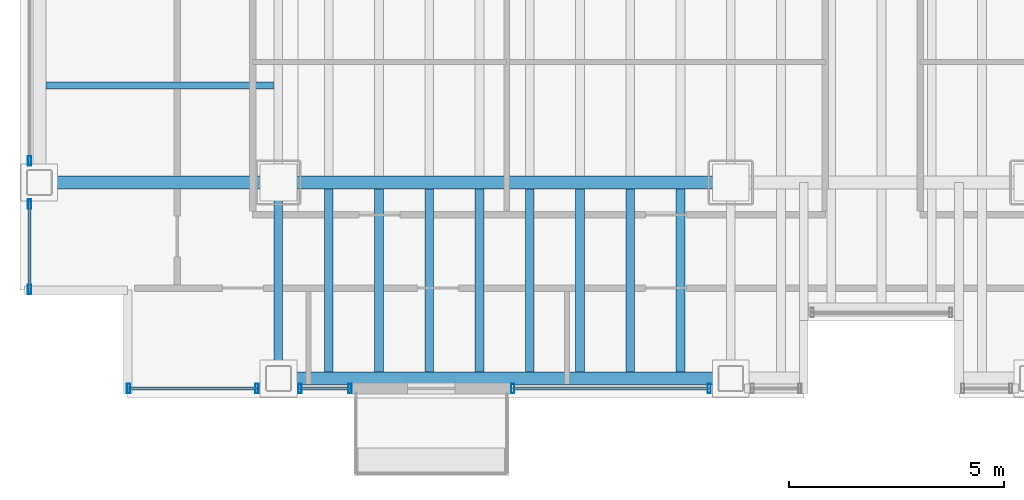
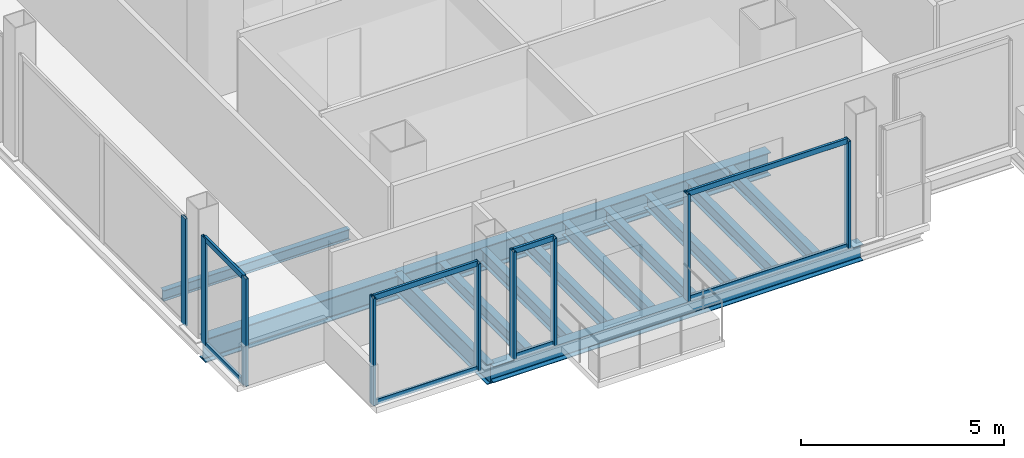
# One storey, part 2 of 20: 17 members, 13 beams, 5 elements without a shape of their own.
"""IFC4 building model written with IfcOpenShell, lengths in metres."""

from ifc_helpers import new_model, si_unit, direction, frame, origin, origin_2d, place, context, subcontext, project, spatial, hollow_rectangle, i_section, extrude, material, material_profile, profile_set, type_object, element, aggregate, save


model = new_model("IFC4")

# Units and contexts
model_context = context("Model", 3, precision=1e-05, world=origin(), true_north=direction((0.0, 1.0)))
body_context = subcontext(model_context, "Body", "Model", "MODEL_VIEW")
ifc_project = project(units=[si_unit("LENGTHUNIT", "METRE"), si_unit("AREAUNIT", "SQUARE_METRE"), si_unit("VOLUMEUNIT", "CUBIC_METRE"), si_unit("PLANEANGLEUNIT", "RADIAN"), si_unit("MASSUNIT", "GRAM", prefix="KILO")], contexts=[model_context])

# Site, building, storey
site_placement = place(None, origin())
site = spatial("IfcSite", under=ifc_project, at=site_placement, CompositionType="ELEMENT")
building_placement = place(site_placement, origin())
building = spatial("IfcBuilding", under=site, at=building_placement, Name="Noeulbin Bourse Tower", CompositionType="ELEMENT")
storey_placement = place(building_placement, frame((0.0, 0.0, 73.300048828125)))
storey = spatial("IfcBuildingStorey", under=building, at=storey_placement, Name="L18", CompositionType="ELEMENT", Elevation=73.300048828125)

# Beams
ifc_material_1 = material(Name="Steel S355", Category="steel")
ifc_material_profile_1 = material_profile(ifc_material_1, i_section(OverallWidth=0.199951171875, OverallDepth=0.60009765625, WebThickness=0.010986328125, FlangeThickness=0.01708984375, FilletRadius=0.02197265625, at=origin_2d()), Name="H-600x200x11x17", Category="LoadBearing")
ifc_profile_set_1 = profile_set([ifc_material_profile_1], Name="Steel S355")
beam_type_1 = type_object("IfcBeamType", Name="BM-GRD-600", PredefinedType="USERDEFINED", material=ifc_profile_set_1)
beam_1_placement = place(storey_placement, frame((13.5, 15.449951171875, -0.47998046875), z_axis=(0.0, 1.0, 0.0), x_axis=(-1.0, 0.0, 0.0)))
element("IfcBeam", 1, at=beam_1_placement, inside=storey, type_object=beam_type_1, Name="Tower Primary Girder NS L18-1.1", ObjectType="GIRDER", PredefinedType="USERDEFINED", context=body_context, shape_type="SweptSolid", body=[
    extrude(i_section(OverallWidth=0.199951171875, OverallDepth=0.60009765625, WebThickness=0.010986328125, FlangeThickness=0.01708984375, FilletRadius=0.02197265625, at=origin_2d()), origin(), (0.0, 0.0, 1.0), 4.550048828125),
])
ifc_material_profile_2 = material_profile(ifc_material_1, i_section(OverallWidth=0.300048828125, OverallDepth=0.699951171875, WebThickness=0.012939453125, FlangeThickness=0.02392578125, FilletRadius=0.02392578125, at=origin_2d()), Name="H-700x300x13x24", Category="LoadBearing")
ifc_profile_set_2 = profile_set([ifc_material_profile_2], Name="Steel S355")
beam_type_2 = type_object("IfcBeamType", Name="BM-GRD-700", PredefinedType="USERDEFINED", material=ifc_profile_set_2)
beam_2_placement = place(storey_placement, frame((7.949951171875, 20.0, -0.530029296875), z_axis=(1.0, 0.0, 0.0), x_axis=(0.0, 1.0, 0.0)))
element("IfcBeam", 2, at=beam_2_placement, inside=storey, type_object=beam_type_2, Name="Tower Primary Girder EW L18-1.1", ObjectType="GIRDER", PredefinedType="USERDEFINED", context=body_context, shape_type="SweptSolid", body=[
    extrude(i_section(OverallWidth=0.300048828125, OverallDepth=0.699951171875, WebThickness=0.012939453125, FlangeThickness=0.02392578125, FilletRadius=0.02392578125, at=origin_2d()), origin(), (0.0, 0.0, 1.0), 5.550048828125),
])
beam_3_placement = place(storey_placement, frame((13.5, 20.0, -0.530029296875), z_axis=(1.0, 0.0, 0.0), x_axis=(0.0, 1.0, 0.0)))
element("IfcBeam", 3, at=beam_3_placement, inside=storey, type_object=beam_type_2, Name="Tower Primary Girder EW L18-1.2", ObjectType="GIRDER", PredefinedType="USERDEFINED", context=body_context, shape_type="SweptSolid", body=[
    extrude(i_section(OverallWidth=0.300048828125, OverallDepth=0.699951171875, WebThickness=0.012939453125, FlangeThickness=0.02392578125, FilletRadius=0.02392578125, at=origin_2d()), origin(), (0.0, 0.0, 1.0), 10.5),
])
ifc_material_profile_3 = material_profile(ifc_material_1, i_section(OverallWidth=0.159912109375, OverallDepth=0.320068359375, WebThickness=0.006591796875, FlangeThickness=0.010009765625, FilletRadius=0.012939453125, at=origin_2d()), Name="H-320x160x6.5x10", Category="LoadBearing")
ifc_profile_set_3 = profile_set([ifc_material_profile_3], Name="Steel S355")
beam_type_3 = type_object("IfcBeamType", Name="BM-JST-320", PredefinedType="JOIST", material=ifc_profile_set_3)
beam_4_placement = place(storey_placement, frame((8.10009765625, 22.25, -0.340087890625), z_axis=(1.0, 0.0, 0.0), x_axis=(0.0, 1.0, 0.0)))
element("IfcBeam", 4, at=beam_4_placement, inside=storey, type_object=beam_type_3, Name="Wing Composite Joist L18-W70", PredefinedType="JOIST", context=body_context, shape_type="SweptSolid", body=[
    extrude(i_section(OverallWidth=0.159912109375, OverallDepth=0.320068359375, WebThickness=0.006591796875, FlangeThickness=0.010009765625, FilletRadius=0.012939453125, at=origin_2d()), origin(), (0.0, 0.0, 1.0), 5.2998046875),
])
ifc_material_profile_4 = material_profile(ifc_material_1, i_section(OverallWidth=0.199951171875, OverallDepth=0.39990234375, WebThickness=0.008056640625, FlangeThickness=0.012939453125, FilletRadius=0.01611328125, at=origin_2d()), Name="H-400x200x8x13", Category="LoadBearing")
ifc_profile_set_4 = profile_set([ifc_material_profile_4], Name="Steel S355")
beam_type_4 = type_object("IfcBeamType", Name="BM-SEC-400", PredefinedType="BEAM", material=ifc_profile_set_4)
for number, where, z_axis, x_axis, name in (
    (5, (14.666748046875, 15.60009765625, -0.380126953125), (0.0, 1.0, 0.0), (-1.0, 0.0, 0.0), "Tower Composite Joist L18-01"),
    (6, (15.833251953125, 15.60009765625, -0.380126953125), (0.0, 1.0, 0.0), (-1.0, 0.0, 0.0), "Tower Composite Joist L18-04"),
    (7, (17.0, 15.60009765625, -0.380126953125), (0.0, 1.0, 0.0), (-1.0, 0.0, 0.0), "Tower Composite Joist L18-07"),
    (8, (18.166748046875, 15.60009765625, -0.380126953125), (0.0, 1.0, 0.0), (-1.0, 0.0, 0.0), "Tower Composite Joist L18-10"),
    (9, (19.333251953125, 15.60009765625, -0.380126953125), (0.0, 1.0, 0.0), (-1.0, 0.0, 0.0), "Tower Composite Joist L18-13"),
    (10, (20.5, 15.60009765625, -0.380126953125), (0.0, 1.0, 0.0), (-1.0, 0.0, 0.0), "Tower Composite Joist L18-16"),
    (11, (21.666748046875, 15.60009765625, -0.380126953125), (0.0, 1.0, 0.0), (-1.0, 0.0, 0.0), "Tower Composite Joist L18-19"),
    (12, (22.833251953125, 15.60009765625, -0.380126953125), (0.0, 1.0, 0.0), (-1.0, 0.0, 0.0), "Tower Composite Joist L18-22"),
):
    element("IfcBeam", number, at=place(storey_placement, frame(where, z_axis=z_axis, x_axis=x_axis)), inside=storey, type_object=beam_type_4, Name=name, PredefinedType="BEAM", context=body_context, shape_type="SweptSolid", body=[
        extrude(i_section(OverallWidth=0.199951171875, OverallDepth=0.39990234375, WebThickness=0.008056640625, FlangeThickness=0.012939453125, FilletRadius=0.01611328125, at=origin_2d()), origin(), (0.0, 0.0, 1.0), 4.25),
    ])
ifc_material_profile_5 = material_profile(ifc_material_1, i_section(OverallWidth=0.300048828125, OverallDepth=0.488037109375, WebThickness=0.010986328125, FlangeThickness=0.01806640625, FilletRadius=0.02197265625, at=origin_2d()), Name="H-488x300x11x18", Category="LoadBearing")
ifc_profile_set_5 = profile_set([ifc_material_profile_5], Name="Steel S355")
beam_type_5 = type_object("IfcBeamType", Name="BM-SPN-488", PredefinedType="SPANDREL", material=ifc_profile_set_5)
beam_5_placement = place(storey_placement, frame((13.5, 15.449951171875, -0.424072265625), z_axis=(1.0, 0.0, 0.0), x_axis=(0.0, 1.0, 0.0)))
element("IfcBeam", 13, at=beam_5_placement, inside=storey, type_object=beam_type_5, Name="South Spandrel L18-1", PredefinedType="SPANDREL", context=body_context, shape_type="SweptSolid", body=[
    extrude(i_section(OverallWidth=0.300048828125, OverallDepth=0.488037109375, WebThickness=0.010986328125, FlangeThickness=0.01806640625, FilletRadius=0.02197265625, at=origin_2d()), origin(), (0.0, 0.0, 1.0), 10.5),
])

# Curtain wall, members
ifc_material_2 = material(Name="Dark Solar-Control Double Glazing", Category="glass")
curtain_wall_type = type_object("IfcCurtainWallType", Name="CW-SYS-2", PredefinedType="NOTDEFINED", material=ifc_material_2)
curtain_wall_1_placement = place(storey_placement, origin())
curtain_wall_1 = element("IfcCurtainWall", 14, at=curtain_wall_1_placement, inside=storey, type_object=curtain_wall_type, Name="Unitised Curtain Wall CW-L18-S1-S1", PredefinedType="NOTDEFINED")
ifc_material_3 = material(Name="Anodised Aluminium 6063-T6", Category="aluminium")
ifc_material_profile_6 = material_profile(ifc_material_3, hollow_rectangle(XDim=0.074951171875, YDim=0.219970703125, WallThickness=0.0048828125, InnerFilletRadius=0.00244140625, OuterFilletRadius=0.0048828125, at=origin_2d()), Name="ALU-MULL-75x220x5", Category="LoadBearing")
ifc_profile_set_6 = profile_set([ifc_material_profile_6], Name="Anodised Aluminium 6063-T6")
member_type_1 = type_object("IfcMemberType", Name="CW-SYS-2-MUL", PredefinedType="MULLION", material=ifc_profile_set_6)
member_1_placement = place(storey_placement, frame((10.02001953125, 15.219970703125, -0.02001953125), z_axis=(0.0, 0.0, 1.0), x_axis=(1.0, 0.0, 0.0)))
member_1 = element("IfcMember", 15, at=member_1_placement, type_object=member_type_1, Name="Curtain Wall Mullion CW-L18-S1-S1-M00", PredefinedType="MULLION", context=body_context, shape_type="SweptSolid", body=[
    extrude(hollow_rectangle(XDim=0.074951171875, YDim=0.219970703125, WallThickness=0.0048828125, InnerFilletRadius=0.00244140625, OuterFilletRadius=0.0048828125, at=origin_2d()), origin(), (0.0, 0.0, 1.0), 3.219970703125),
])
member_2_placement = place(storey_placement, frame((13.0, 15.219970703125, -0.02001953125), z_axis=(0.0, 0.0, 1.0), x_axis=(1.0, 0.0, 0.0)))
member_2 = element("IfcMember", 16, at=member_2_placement, type_object=member_type_1, Name="Curtain Wall Mullion CW-L18-S1-S1-M01", PredefinedType="MULLION", context=body_context, shape_type="SweptSolid", body=[
    extrude(hollow_rectangle(XDim=0.074951171875, YDim=0.219970703125, WallThickness=0.0048828125, InnerFilletRadius=0.00244140625, OuterFilletRadius=0.0048828125, at=origin_2d()), origin(), (0.0, 0.0, 1.0), 3.219970703125),
])

curtain_wall_2_placement = place(storey_placement, origin())
curtain_wall_2 = element("IfcCurtainWall", 17, at=curtain_wall_2_placement, inside=storey, type_object=curtain_wall_type, Name="Unitised Curtain Wall CW-L18-S1-S2", PredefinedType="NOTDEFINED")
member_3_placement = place(storey_placement, frame((14.0, 15.219970703125, -0.02001953125), z_axis=(0.0, 0.0, 1.0), x_axis=(1.0, 0.0, 0.0)))
member_3 = element("IfcMember", 18, at=member_3_placement, type_object=member_type_1, Name="Curtain Wall Mullion CW-L18-S1-S2-M00", PredefinedType="MULLION", context=body_context, shape_type="SweptSolid", body=[
    extrude(hollow_rectangle(XDim=0.074951171875, YDim=0.219970703125, WallThickness=0.0048828125, InnerFilletRadius=0.00244140625, OuterFilletRadius=0.0048828125, at=origin_2d()), origin(), (0.0, 0.0, 1.0), 3.219970703125),
])
member_4_placement = place(storey_placement, frame((15.159912109375, 15.219970703125, -0.02001953125), z_axis=(0.0, 0.0, 1.0), x_axis=(1.0, 0.0, 0.0)))
member_4 = element("IfcMember", 19, at=member_4_placement, type_object=member_type_1, Name="Curtain Wall Mullion CW-L18-S1-S2-M01", PredefinedType="MULLION", context=body_context, shape_type="SweptSolid", body=[
    extrude(hollow_rectangle(XDim=0.074951171875, YDim=0.219970703125, WallThickness=0.0048828125, InnerFilletRadius=0.00244140625, OuterFilletRadius=0.0048828125, at=origin_2d()), origin(), (0.0, 0.0, 1.0), 3.219970703125),
])

curtain_wall_3_placement = place(storey_placement, origin())
curtain_wall_3 = element("IfcCurtainWall", 20, at=curtain_wall_3_placement, inside=storey, type_object=curtain_wall_type, Name="Unitised Curtain Wall CW-L18-S2-S1", PredefinedType="NOTDEFINED")
member_5_placement = place(storey_placement, frame((18.93994140625, 15.219970703125, -0.02001953125), z_axis=(0.0, 0.0, 1.0), x_axis=(1.0, 0.0, 0.0)))
member_5 = element("IfcMember", 21, at=member_5_placement, type_object=member_type_1, Name="Curtain Wall Mullion CW-L18-S2-S1-M00", PredefinedType="MULLION", context=body_context, shape_type="SweptSolid", body=[
    extrude(hollow_rectangle(XDim=0.074951171875, YDim=0.219970703125, WallThickness=0.0048828125, InnerFilletRadius=0.00244140625, OuterFilletRadius=0.0048828125, at=origin_2d()), origin(), (0.0, 0.0, 1.0), 3.219970703125),
])
member_6_placement = place(storey_placement, frame((23.5, 15.219970703125, -0.02001953125), z_axis=(0.0, 0.0, 1.0), x_axis=(1.0, 0.0, 0.0)))
member_6 = element("IfcMember", 22, at=member_6_placement, type_object=member_type_1, Name="Curtain Wall Mullion CW-L18-S2-S1-M01", PredefinedType="MULLION", context=body_context, shape_type="SweptSolid", body=[
    extrude(hollow_rectangle(XDim=0.074951171875, YDim=0.219970703125, WallThickness=0.0048828125, InnerFilletRadius=0.00244140625, OuterFilletRadius=0.0048828125, at=origin_2d()), origin(), (0.0, 0.0, 1.0), 3.219970703125),
])

curtain_wall_4_placement = place(storey_placement, origin())
curtain_wall_4 = element("IfcCurtainWall", 23, at=curtain_wall_4_placement, inside=storey, type_object=curtain_wall_type, Name="Unitised Curtain Wall CW-L18-W-S1", PredefinedType="NOTDEFINED")
member_7_placement = place(storey_placement, frame((7.719970703125, 17.52001953125, -0.02001953125), z_axis=(0.0, 0.0, 1.0), x_axis=(1.0, 0.0, 0.0)))
member_7 = element("IfcMember", 24, at=member_7_placement, type_object=member_type_1, Name="Curtain Wall Mullion CW-L18-W-S1-M00", PredefinedType="MULLION", context=body_context, shape_type="SweptSolid", body=[
    extrude(hollow_rectangle(XDim=0.074951171875, YDim=0.219970703125, WallThickness=0.0048828125, InnerFilletRadius=0.00244140625, OuterFilletRadius=0.0048828125, at=origin_2d()), origin(), (0.0, 0.0, 1.0), 3.219970703125),
])
member_8_placement = place(storey_placement, frame((7.719970703125, 19.5, -0.02001953125), z_axis=(0.0, 0.0, 1.0), x_axis=(1.0, 0.0, 0.0)))
member_8 = element("IfcMember", 25, at=member_8_placement, type_object=member_type_1, Name="Curtain Wall Mullion CW-L18-W-S1-M01", PredefinedType="MULLION", context=body_context, shape_type="SweptSolid", body=[
    extrude(hollow_rectangle(XDim=0.074951171875, YDim=0.219970703125, WallThickness=0.0048828125, InnerFilletRadius=0.00244140625, OuterFilletRadius=0.0048828125, at=origin_2d()), origin(), (0.0, 0.0, 1.0), 3.219970703125),
])

# Curtain wall, member
curtain_wall_5_placement = place(storey_placement, origin())
curtain_wall_5 = element("IfcCurtainWall", 26, at=curtain_wall_5_placement, inside=storey, type_object=curtain_wall_type, Name="Unitised Curtain Wall CW-L18-W-S2", PredefinedType="NOTDEFINED")
member_9_placement = place(storey_placement, frame((7.719970703125, 20.5, -0.02001953125), z_axis=(0.0, 0.0, 1.0), x_axis=(1.0, 0.0, 0.0)))
member_9 = element("IfcMember", 27, at=member_9_placement, type_object=member_type_1, Name="Curtain Wall Mullion CW-L18-W-S2-M00", PredefinedType="MULLION", context=body_context, shape_type="SweptSolid", body=[
    extrude(hollow_rectangle(XDim=0.074951171875, YDim=0.219970703125, WallThickness=0.0048828125, InnerFilletRadius=0.00244140625, OuterFilletRadius=0.0048828125, at=origin_2d()), origin(), (0.0, 0.0, 1.0), 3.219970703125),
])
aggregate(curtain_wall_5, [member_9])

# Member
ifc_material_profile_7 = material_profile(ifc_material_3, hollow_rectangle(XDim=0.074951171875, YDim=0.159912109375, WallThickness=0.0048828125, InnerFilletRadius=0.00244140625, OuterFilletRadius=0.0048828125, at=origin_2d()), Name="ALU-TRAN-75x160x5", Category="LoadBearing")
ifc_profile_set_7 = profile_set([ifc_material_profile_7], Name="Anodised Aluminium 6063-T6")
member_type_2 = type_object("IfcMemberType", Name="CW-SYS-2-TRN", PredefinedType="USERDEFINED", material=ifc_profile_set_7)
member_10_placement = place(storey_placement, frame((10.030029296875, 15.219970703125, 0.010009765625), z_axis=(1.0, 0.0, 0.0), x_axis=(0.0, 1.0, 0.0)))
member_10 = element("IfcMember", 28, at=member_10_placement, type_object=member_type_2, Name="Curtain Wall Transom CW-L18-S1-S1-T00", ObjectType="TRANSOM", PredefinedType="USERDEFINED", context=body_context, shape_type="SweptSolid", body=[
    extrude(hollow_rectangle(XDim=0.074951171875, YDim=0.159912109375, WallThickness=0.0048828125, InnerFilletRadius=0.00244140625, OuterFilletRadius=0.0048828125, at=origin_2d()), origin(), (0.0, 0.0, 1.0), 2.9599609375),
])

member_11_placement = place(storey_placement, frame((10.030029296875, 15.219970703125, 3.169921875), z_axis=(1.0, 0.0, 0.0), x_axis=(0.0, 1.0, 0.0)))
member_11 = element("IfcMember", 29, at=member_11_placement, type_object=member_type_2, Name="Curtain Wall Transom CW-L18-S1-S1-T01", ObjectType="TRANSOM", PredefinedType="USERDEFINED", context=body_context, shape_type="SweptSolid", body=[
    extrude(hollow_rectangle(XDim=0.074951171875, YDim=0.159912109375, WallThickness=0.0048828125, InnerFilletRadius=0.00244140625, OuterFilletRadius=0.0048828125, at=origin_2d()), origin(), (0.0, 0.0, 1.0), 2.9599609375),
])

aggregate(curtain_wall_1, [member_1, member_2, member_10, member_11])

member_12_placement = place(storey_placement, frame((14.010009765625, 15.219970703125, 0.010009765625), z_axis=(1.0, 0.0, 0.0), x_axis=(0.0, 1.0, 0.0)))
member_12 = element("IfcMember", 30, at=member_12_placement, type_object=member_type_2, Name="Curtain Wall Transom CW-L18-S1-S2-T00", ObjectType="TRANSOM", PredefinedType="USERDEFINED", context=body_context, shape_type="SweptSolid", body=[
    extrude(hollow_rectangle(XDim=0.074951171875, YDim=0.159912109375, WallThickness=0.0048828125, InnerFilletRadius=0.00244140625, OuterFilletRadius=0.0048828125, at=origin_2d()), origin(), (0.0, 0.0, 1.0), 1.139892578125),
])

member_13_placement = place(storey_placement, frame((14.010009765625, 15.219970703125, 3.169921875), z_axis=(1.0, 0.0, 0.0), x_axis=(0.0, 1.0, 0.0)))
member_13 = element("IfcMember", 31, at=member_13_placement, type_object=member_type_2, Name="Curtain Wall Transom CW-L18-S1-S2-T01", ObjectType="TRANSOM", PredefinedType="USERDEFINED", context=body_context, shape_type="SweptSolid", body=[
    extrude(hollow_rectangle(XDim=0.074951171875, YDim=0.159912109375, WallThickness=0.0048828125, InnerFilletRadius=0.00244140625, OuterFilletRadius=0.0048828125, at=origin_2d()), origin(), (0.0, 0.0, 1.0), 1.139892578125),
])

aggregate(curtain_wall_2, [member_3, member_4, member_12, member_13])

member_14_placement = place(storey_placement, frame((18.949951171875, 15.219970703125, 0.010009765625), z_axis=(1.0, 0.0, 0.0), x_axis=(0.0, 1.0, 0.0)))
member_14 = element("IfcMember", 32, at=member_14_placement, type_object=member_type_2, Name="Curtain Wall Transom CW-L18-S2-S1-T00", ObjectType="TRANSOM", PredefinedType="USERDEFINED", context=body_context, shape_type="SweptSolid", body=[
    extrude(hollow_rectangle(XDim=0.074951171875, YDim=0.159912109375, WallThickness=0.0048828125, InnerFilletRadius=0.00244140625, OuterFilletRadius=0.0048828125, at=origin_2d()), origin(), (0.0, 0.0, 1.0), 4.5400390625),
])

member_15_placement = place(storey_placement, frame((18.949951171875, 15.219970703125, 3.169921875), z_axis=(1.0, 0.0, 0.0), x_axis=(0.0, 1.0, 0.0)))
member_15 = element("IfcMember", 33, at=member_15_placement, type_object=member_type_2, Name="Curtain Wall Transom CW-L18-S2-S1-T01", ObjectType="TRANSOM", PredefinedType="USERDEFINED", context=body_context, shape_type="SweptSolid", body=[
    extrude(hollow_rectangle(XDim=0.074951171875, YDim=0.159912109375, WallThickness=0.0048828125, InnerFilletRadius=0.00244140625, OuterFilletRadius=0.0048828125, at=origin_2d()), origin(), (0.0, 0.0, 1.0), 4.5400390625),
])

aggregate(curtain_wall_3, [member_5, member_6, member_14, member_15])

member_16_placement = place(storey_placement, frame((7.719970703125, 17.530029296875, 0.010009765625), z_axis=(0.0, 1.0, 0.0), x_axis=(-1.0, 0.0, 0.0)))
member_16 = element("IfcMember", 34, at=member_16_placement, type_object=member_type_2, Name="Curtain Wall Transom CW-L18-W-S1-T00", ObjectType="TRANSOM", PredefinedType="USERDEFINED", context=body_context, shape_type="SweptSolid", body=[
    extrude(hollow_rectangle(XDim=0.074951171875, YDim=0.159912109375, WallThickness=0.0048828125, InnerFilletRadius=0.00244140625, OuterFilletRadius=0.0048828125, at=origin_2d()), origin(), (0.0, 0.0, 1.0), 1.9599609375),
])

member_17_placement = place(storey_placement, frame((7.719970703125, 17.530029296875, 3.169921875), z_axis=(0.0, 1.0, 0.0), x_axis=(-1.0, 0.0, 0.0)))
member_17 = element("IfcMember", 35, at=member_17_placement, type_object=member_type_2, Name="Curtain Wall Transom CW-L18-W-S1-T01", ObjectType="TRANSOM", PredefinedType="USERDEFINED", context=body_context, shape_type="SweptSolid", body=[
    extrude(hollow_rectangle(XDim=0.074951171875, YDim=0.159912109375, WallThickness=0.0048828125, InnerFilletRadius=0.00244140625, OuterFilletRadius=0.0048828125, at=origin_2d()), origin(), (0.0, 0.0, 1.0), 1.9599609375),
])

aggregate(curtain_wall_4, [member_7, member_8, member_16, member_17])

save(model, "model.ifc")
